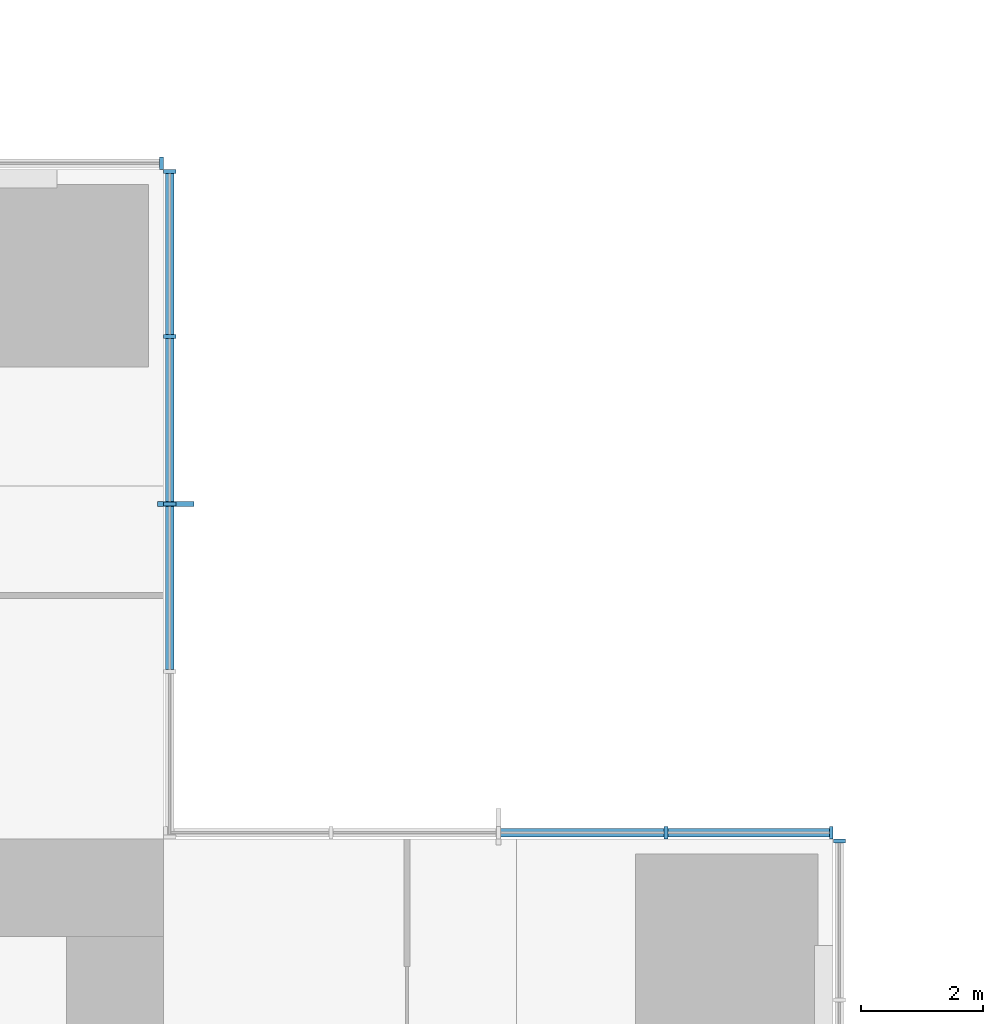
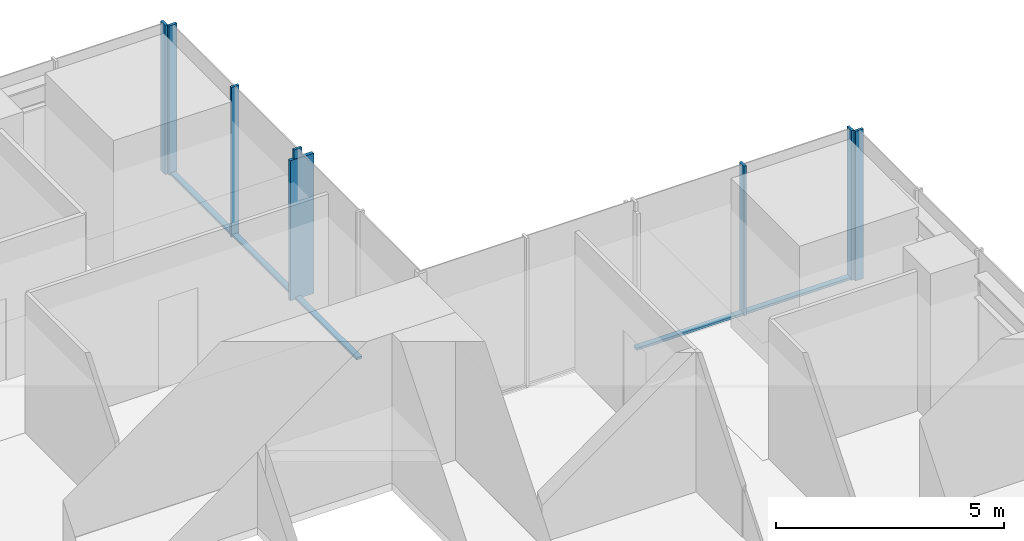
# One storey, part 6 of 13: 13 members, 4 elements without a shape of their own.
"""IFC4 building model written with IfcOpenShell, lengths in metres."""

from ifc_helpers import new_model, si_unit, direction, frame, origin, origin_2d, place, context, subcontext, project, spatial, rectangle, extrude, material, material_profile, profile_set, type_object, element, aggregate, save


model = new_model("IFC4")

# Units and contexts
model_context = context("Model", 3, precision=1e-05, world=origin(), true_north=direction((0.0, 1.0)))
body_context = subcontext(model_context, "Body", "Model", "MODEL_VIEW")
ifc_project = project(units=[si_unit("LENGTHUNIT", "METRE"), si_unit("AREAUNIT", "SQUARE_METRE"), si_unit("VOLUMEUNIT", "CUBIC_METRE"), si_unit("PLANEANGLEUNIT", "RADIAN"), si_unit("MASSUNIT", "GRAM", prefix="KILO")], contexts=[model_context])

# Site, building, storey
site_placement = place(None, origin())
site = spatial("IfcSite", under=ifc_project, at=site_placement, CompositionType="ELEMENT")
building_placement = place(site_placement, origin())
building = spatial("IfcBuilding", under=site, at=building_placement, Name="Svetlomir Tower", CompositionType="ELEMENT")
storey_placement = place(building_placement, frame((0.0, 0.0, 120.5)))
storey = spatial("IfcBuildingStorey", under=building, at=storey_placement, Name="L28", CompositionType="ELEMENT", Elevation=120.5)

# Curtain wall, member
ifc_material_1 = material(Name="Bronze anodised aluminium curtain wall", Category="aluminium")
curtain_wall_type = type_object("IfcCurtainWallType", Name="CURTAIN WALL CW1 TOWER OFFICE", PredefinedType="NOTDEFINED", material=ifc_material_1)
curtain_wall_1_placement = place(storey_placement, origin())
curtain_wall_1 = element("IfcCurtainWall", 1, at=curtain_wall_1_placement, inside=storey, type_object=curtain_wall_type, Name="Curtain wall CW1 L28", PredefinedType="NOTDEFINED")
ifc_material_2 = material(Name="Bronze anodised aluminium", Category="aluminium")
ifc_material_profile_1 = material_profile(ifc_material_2, rectangle(XDim=0.080078125, YDim=0.60009765625, at=origin_2d()), Name="FIN 80x600")
ifc_profile_set_1 = profile_set([ifc_material_profile_1], Name="Bronze anodised aluminium 6063-T6")
member_type_1 = type_object("IfcMemberType", Name="BRONZE FIN 80x600", PredefinedType="USERDEFINED", material=ifc_profile_set_1)
member_1_placement = place(storey_placement, frame((31.199951171875, 36.5, 0.0), z_axis=(0.0, 0.0, 1.0), x_axis=(0.0, 1.0, 0.0)))
member_1 = element("IfcMember", 2, at=member_1_placement, type_object=member_type_1, Name="Bronze fin L28", ObjectType="FIN", PredefinedType="USERDEFINED", context=body_context, shape_type="SweptSolid", body=[
    extrude(rectangle(XDim=0.080078125, YDim=0.60009765625, at=origin_2d()), origin(), (0.0, 0.0, 1.0), 3.75),
])

curtain_wall_2_placement = place(storey_placement, origin())
curtain_wall_2 = element("IfcCurtainWall", 3, at=curtain_wall_2_placement, inside=storey, type_object=curtain_wall_type, Name="Curtain wall CW1 L28", PredefinedType="NOTDEFINED")
ifc_material_3 = material(Name="Bronze anodised aluminium", Category="aluminium")
ifc_material_profile_2 = material_profile(ifc_material_3, rectangle(XDim=0.06494140625, YDim=0.199951171875, at=origin_2d()), Name="AL 65x200")
ifc_profile_set_2 = profile_set([ifc_material_profile_2], Name="Bronze anodised aluminium 6063-T6")
member_type_2 = type_object("IfcMemberType", Name="CW1 MULLION 65x200", PredefinedType="MULLION", material=ifc_profile_set_2)
member_2_placement = place(storey_placement, frame((42.10009765625, 30.967529296875, 0.0), z_axis=(0.0, 0.0, 1.0), x_axis=(0.0, 1.0, 0.0)))
member_2 = element("IfcMember", 4, at=member_2_placement, type_object=member_type_2, Name="CW1 mullion 5", PredefinedType="MULLION", context=body_context, shape_type="SweptSolid", body=[
    extrude(rectangle(XDim=0.06494140625, YDim=0.199951171875, at=origin_2d()), origin(), (0.0, 0.0, 1.0), 4.0),
])
aggregate(curtain_wall_2, [member_2])

# Curtain wall, members
curtain_wall_3_placement = place(storey_placement, origin())
curtain_wall_3 = element("IfcCurtainWall", 5, at=curtain_wall_3_placement, inside=storey, type_object=curtain_wall_type, Name="Curtain wall CW1 L28", PredefinedType="NOTDEFINED")
member_3_placement = place(storey_placement, frame((41.967529296875, 31.10009765625, 0.0), z_axis=(0.0, 0.0, 1.0), x_axis=(-1.0, 0.0, 0.0)))
member_3 = element("IfcMember", 6, at=member_3_placement, type_object=member_type_2, Name="CW1 mullion 1", PredefinedType="MULLION", context=body_context, shape_type="SweptSolid", body=[
    extrude(rectangle(XDim=0.06494140625, YDim=0.199951171875, at=origin_2d()), origin(), (0.0, 0.0, 1.0), 4.0),
])
member_4_placement = place(storey_placement, frame((39.25, 31.10009765625, 0.0), z_axis=(0.0, 0.0, 1.0), x_axis=(-1.0, 0.0, 0.0)))
member_4 = element("IfcMember", 7, at=member_4_placement, type_object=member_type_2, Name="CW1 mullion 2", PredefinedType="MULLION", context=body_context, shape_type="SweptSolid", body=[
    extrude(rectangle(XDim=0.06494140625, YDim=0.199951171875, at=origin_2d()), origin(), (0.0, 0.0, 1.0), 4.0),
])

# Member
member_5_placement = place(storey_placement, frame((31.10009765625, 36.5, 0.0), z_axis=(0.0, 0.0, 1.0), x_axis=(0.0, 1.0, 0.0)))
member_5 = element("IfcMember", 8, at=member_5_placement, type_object=member_type_2, Name="CW1 mullion 3", PredefinedType="MULLION", context=body_context, shape_type="SweptSolid", body=[
    extrude(rectangle(XDim=0.06494140625, YDim=0.199951171875, at=origin_2d()), origin(), (0.0, 0.0, 1.0), 4.0),
])

member_6_placement = place(storey_placement, frame((31.10009765625, 39.25, 0.0), z_axis=(0.0, 0.0, 1.0), x_axis=(0.0, 1.0, 0.0)))
member_6 = element("IfcMember", 9, at=member_6_placement, type_object=member_type_2, Name="CW1 mullion 4", PredefinedType="MULLION", context=body_context, shape_type="SweptSolid", body=[
    extrude(rectangle(XDim=0.06494140625, YDim=0.199951171875, at=origin_2d()), origin(), (0.0, 0.0, 1.0), 4.0),
])

member_7_placement = place(storey_placement, frame((31.10009765625, 41.967529296875, 0.0), z_axis=(0.0, 0.0, 1.0), x_axis=(0.0, 1.0, 0.0)))
member_7 = element("IfcMember", 10, at=member_7_placement, type_object=member_type_2, Name="CW1 mullion 5", PredefinedType="MULLION", context=body_context, shape_type="SweptSolid", body=[
    extrude(rectangle(XDim=0.06494140625, YDim=0.199951171875, at=origin_2d()), origin(), (0.0, 0.0, 1.0), 4.0),
])

# Curtain wall, member
curtain_wall_4_placement = place(storey_placement, origin())
curtain_wall_4 = element("IfcCurtainWall", 11, at=curtain_wall_4_placement, inside=storey, type_object=curtain_wall_type, Name="Curtain wall CW1 L28", PredefinedType="NOTDEFINED")
member_8_placement = place(storey_placement, frame((30.967529296875, 42.10009765625, 0.0), z_axis=(0.0, 0.0, 1.0), x_axis=(-1.0, 0.0, 0.0)))
member_8 = element("IfcMember", 12, at=member_8_placement, type_object=member_type_2, Name="CW1 mullion 1", PredefinedType="MULLION", context=body_context, shape_type="SweptSolid", body=[
    extrude(rectangle(XDim=0.06494140625, YDim=0.199951171875, at=origin_2d()), origin(), (0.0, 0.0, 1.0), 4.0),
])
aggregate(curtain_wall_4, [member_8])

# Member
ifc_material_4 = material(Name="Bronze anodised aluminium", Category="aluminium")
ifc_material_profile_3 = material_profile(ifc_material_4, rectangle(XDim=0.139892578125, YDim=0.06494140625, at=origin_2d()), Name="AL 140x65")
ifc_profile_set_3 = profile_set([ifc_material_profile_3], Name="Bronze anodised aluminium 6063-T6")
member_type_3 = type_object("IfcMemberType", Name="CW1 TRANSOM 65x140", PredefinedType="USERDEFINED", material=ifc_profile_set_3)
member_9_placement = place(storey_placement, frame((41.93505859375, 31.10009765625, 0.032470703125), z_axis=(-1.0, 0.0, 0.0), x_axis=(0.0, -1.0, 0.0)))
member_9 = element("IfcMember", 13, at=member_9_placement, type_object=member_type_3, Name="CW1 transom 1.1", ObjectType="TRANSOM", PredefinedType="USERDEFINED", context=body_context, shape_type="SweptSolid", body=[
    extrude(rectangle(XDim=0.139892578125, YDim=0.06494140625, at=origin_2d()), origin(), (0.0, 0.0, 1.0), 2.652587890625),
])

member_10_placement = place(storey_placement, frame((39.217529296875, 31.10009765625, 0.032470703125), z_axis=(-1.0, 0.0, 0.0), x_axis=(0.0, -1.0, 0.0)))
member_10 = element("IfcMember", 14, at=member_10_placement, type_object=member_type_3, Name="CW1 transom 2.1", ObjectType="TRANSOM", PredefinedType="USERDEFINED", context=body_context, shape_type="SweptSolid", body=[
    extrude(rectangle(XDim=0.139892578125, YDim=0.06494140625, at=origin_2d()), origin(), (0.0, 0.0, 1.0), 2.68505859375),
])

aggregate(curtain_wall_3, [member_3, member_4, member_9, member_10])

member_11_placement = place(storey_placement, frame((31.10009765625, 33.782470703125, 0.032470703125), z_axis=(0.0, 1.0, 0.0), x_axis=(-1.0, 0.0, 0.0)))
member_11 = element("IfcMember", 15, at=member_11_placement, type_object=member_type_3, Name="CW1 transom 2.1", ObjectType="TRANSOM", PredefinedType="USERDEFINED", context=body_context, shape_type="SweptSolid", body=[
    extrude(rectangle(XDim=0.139892578125, YDim=0.06494140625, at=origin_2d()), origin(), (0.0, 0.0, 1.0), 2.68505859375),
])

member_12_placement = place(storey_placement, frame((31.10009765625, 36.532470703125, 0.032470703125), z_axis=(0.0, 1.0, 0.0), x_axis=(-1.0, 0.0, 0.0)))
member_12 = element("IfcMember", 16, at=member_12_placement, type_object=member_type_3, Name="CW1 transom 3.1", ObjectType="TRANSOM", PredefinedType="USERDEFINED", context=body_context, shape_type="SweptSolid", body=[
    extrude(rectangle(XDim=0.139892578125, YDim=0.06494140625, at=origin_2d()), origin(), (0.0, 0.0, 1.0), 2.68505859375),
])

member_13_placement = place(storey_placement, frame((31.10009765625, 39.282470703125, 0.032470703125), z_axis=(0.0, 1.0, 0.0), x_axis=(-1.0, 0.0, 0.0)))
member_13 = element("IfcMember", 17, at=member_13_placement, type_object=member_type_3, Name="CW1 transom 4.1", ObjectType="TRANSOM", PredefinedType="USERDEFINED", context=body_context, shape_type="SweptSolid", body=[
    extrude(rectangle(XDim=0.139892578125, YDim=0.06494140625, at=origin_2d()), origin(), (0.0, 0.0, 1.0), 2.652587890625),
])

aggregate(curtain_wall_1, [member_5, member_6, member_7, member_11, member_12, member_13, member_1])

save(model, "model.ifc")
